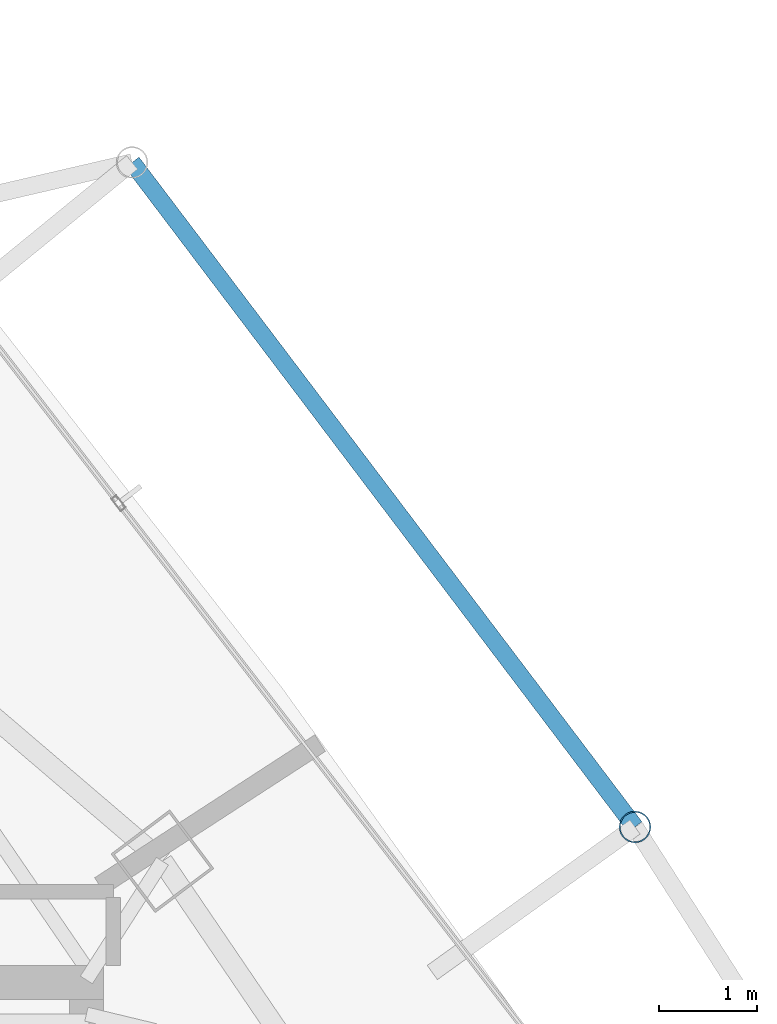
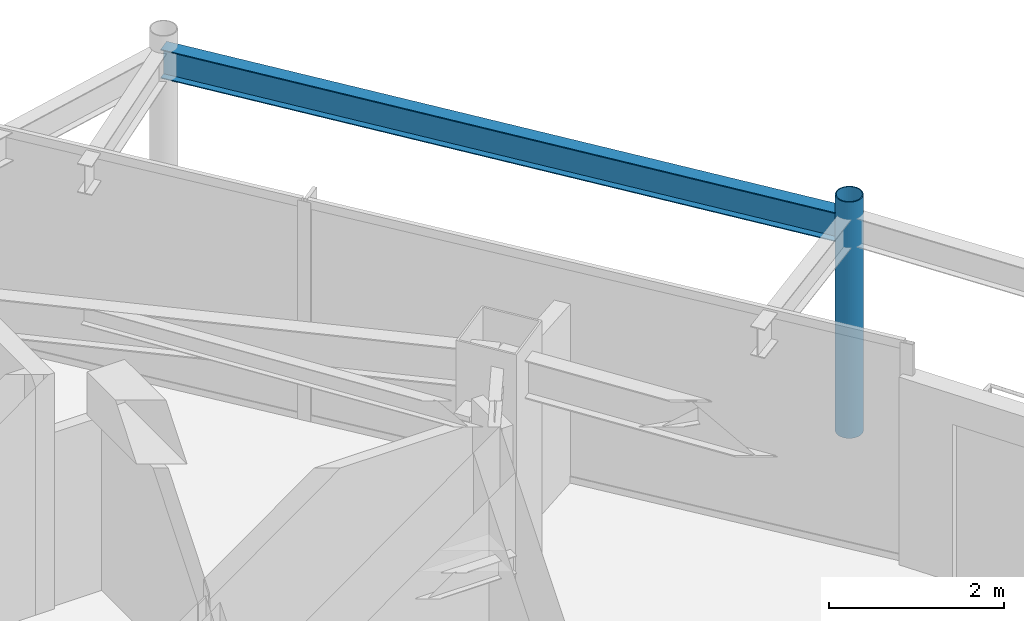
# One storey, part 24 of 30: 1 beam, 1 member.
"""IFC4 building model written with IfcOpenShell, lengths in metres."""

from ifc_helpers import new_model, si_unit, direction, frame, origin, origin_2d, place, context, subcontext, project, spatial, hollow_circle, i_section, extrude, material, material_profile, profile_set, type_object, element, save


model = new_model("IFC4")

# Units and contexts
model_context = context("Model", 3, precision=1e-05, world=origin(), true_north=direction((0.0, 1.0)))
body_context = subcontext(model_context, "Body", "Model", "MODEL_VIEW")
ifc_project = project(units=[si_unit("LENGTHUNIT", "METRE"), si_unit("AREAUNIT", "SQUARE_METRE"), si_unit("VOLUMEUNIT", "CUBIC_METRE"), si_unit("PLANEANGLEUNIT", "RADIAN"), si_unit("MASSUNIT", "GRAM", prefix="KILO")], contexts=[model_context])

# Site, building, storey
site_placement = place(None, origin())
site = spatial("IfcSite", under=ifc_project, at=site_placement, CompositionType="ELEMENT")
building_placement = place(site_placement, origin())
building = spatial("IfcBuilding", under=site, at=building_placement, Name="Orvanel Arch Residences", CompositionType="ELEMENT")
storey_placement = place(building_placement, frame((0.0, 0.0, 229.39990234375)))
storey = spatial("IfcBuildingStorey", under=building, at=storey_placement, Name="L65", CompositionType="ELEMENT", Elevation=229.39990234375)

# Beam
ifc_material_1 = material(Name="Structural steel AS/NZS 3679.1 Grade 300 (300 MPa)", Category="steel")
ifc_material_profile_1 = material_profile(ifc_material_1, i_section(OverallWidth=0.177978515625, OverallDepth=0.406005859375, WebThickness=0.0078125, FlangeThickness=0.0126953125, at=origin_2d()), Name="410UB59.7")
ifc_profile_set_1 = profile_set([ifc_material_profile_1], Name="Structural steel AS/NZS 3679.1 Grade 300 (300 MPa)")
beam_type = type_object("IfcBeamType", Name="OB-410UB-EXT", PredefinedType="SPANDREL", material=ifc_profile_set_1)
beam_placement = place(storey_placement, frame((45.180908203125, 35.462890625, 2.857177734375), z_axis=(-0.603425426844, 0.797419434324, 0.0), x_axis=(-0.797419434324, -0.603425426844, 0.0)))
element("IfcBeam", 1, at=beam_placement, inside=storey, type_object=beam_type, Name="L65 Outer Perimeter Floor Ring Beam 11", PredefinedType="SPANDREL", context=body_context, shape_type="SweptSolid", body=[
    extrude(i_section(OverallWidth=0.177978515625, OverallDepth=0.406005859375, WebThickness=0.0078125, FlangeThickness=0.0126953125, at=origin_2d()), origin(), (0.0, 0.0, 1.0), 8.516357421875),
])

# Member
ifc_material_2 = material(Name="Structural steel AS/NZS 1163 C350L0 (Grade 350)", Category="steel")
ifc_material_profile_2 = material_profile(ifc_material_2, hollow_circle(Radius=0.162109375, WallThickness=0.0126953125, at=origin_2d()), Name="CHS324x12.7")
ifc_profile_set_2 = profile_set([ifc_material_profile_2], Name="Structural steel AS/NZS 1163 C350L0 (Grade 350)")
member_type = type_object("IfcMemberType", Name="ST-324CHS-EXT", PredefinedType="STRUT", material=ifc_profile_set_2)
member_placement = place(storey_placement, frame((45.180908203125, 35.462890625, 0.0), z_axis=(0.0, 0.0, 1.0), x_axis=(1.0, 0.0, 0.0)))
element("IfcMember", 2, at=member_placement, inside=storey, type_object=member_type, Name="L65 Outer Perimeter Frame Post 11", PredefinedType="STRUT", context=body_context, shape_type="SweptSolid", body=[
    extrude(hollow_circle(Radius=0.162109375, WallThickness=0.0126953125, at=origin_2d()), origin(), (0.0, 0.0, 1.0), 3.300048828125),
])

save(model, "model.ifc")
